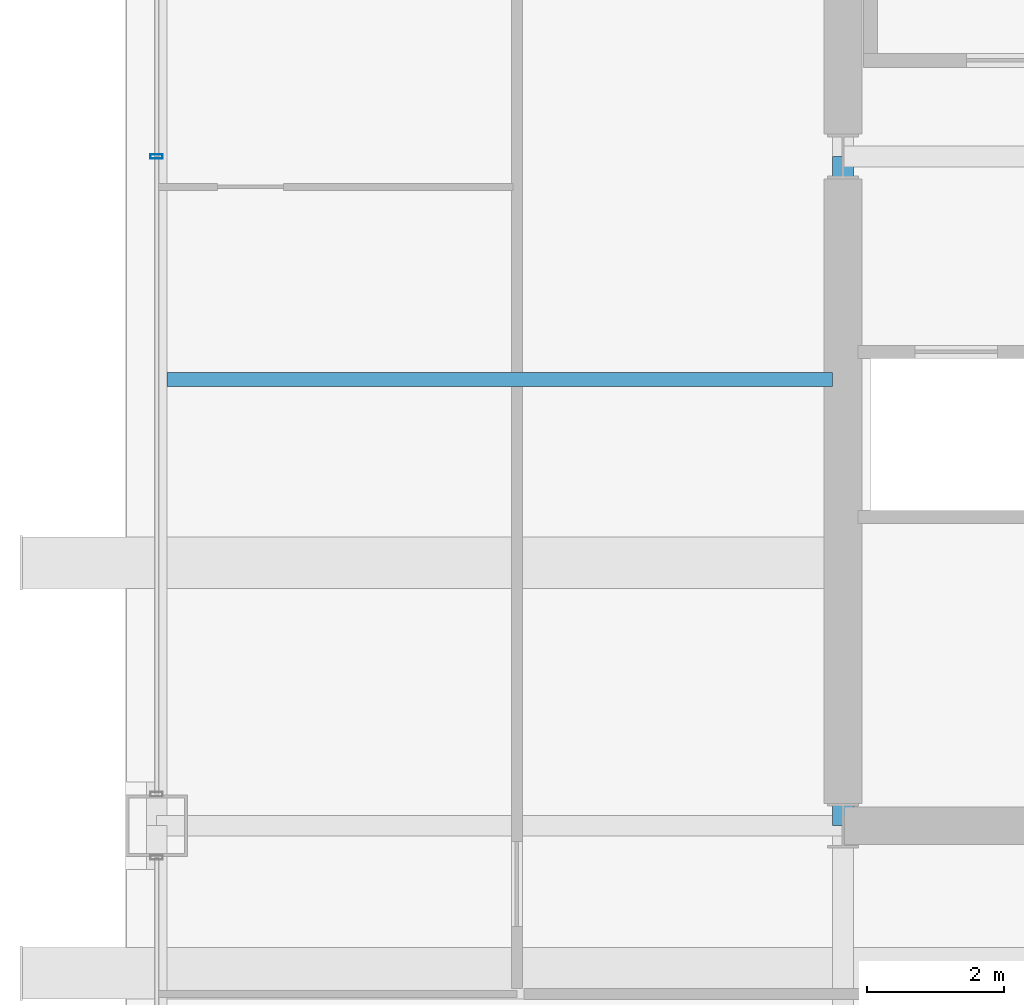
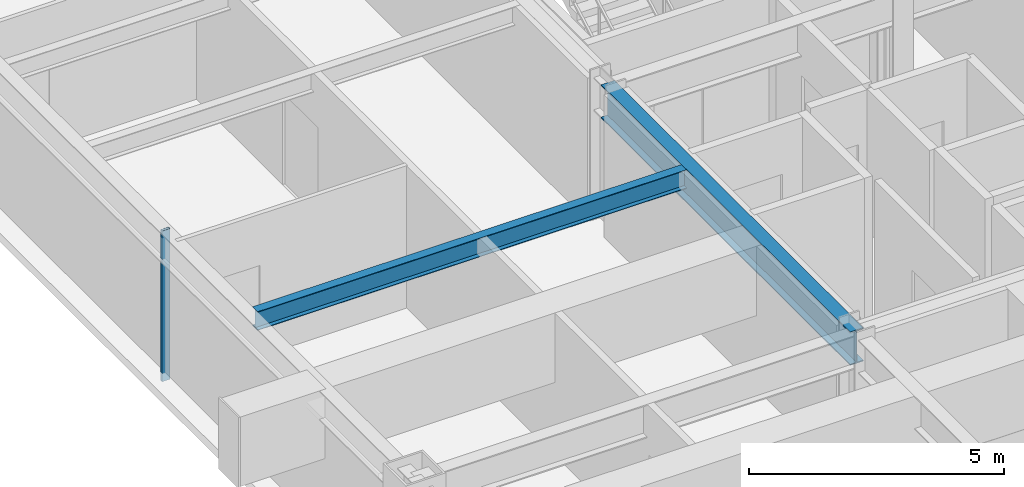
# One storey, part 8 of 29: 2 beams, 1 member, 1 element without a shape of its own.
"""IFC4 building model written with IfcOpenShell, lengths in metres."""

from ifc_helpers import new_model, si_unit, direction, frame, origin, origin_2d, place, context, subcontext, project, spatial, hollow_rectangle, i_section, extrude, material, layer, layer_set, material_profile, profile_set, type_object, element, aggregate, save


model = new_model("IFC4")

# Units and contexts
model_context = context("Model", 3, precision=1e-05, world=origin(), true_north=direction((0.0, 1.0)))
body_context = subcontext(model_context, "Body", "Model", "MODEL_VIEW")
ifc_project = project(units=[si_unit("LENGTHUNIT", "METRE"), si_unit("AREAUNIT", "SQUARE_METRE"), si_unit("VOLUMEUNIT", "CUBIC_METRE"), si_unit("PLANEANGLEUNIT", "RADIAN"), si_unit("MASSUNIT", "GRAM", prefix="KILO")], contexts=[model_context])

# Site, building, storey
site_placement = place(None, origin())
site = spatial("IfcSite", under=ifc_project, at=site_placement, CompositionType="ELEMENT")
building_placement = place(site_placement, origin())
building = spatial("IfcBuilding", under=site, at=building_placement, Name="Brelmoor Portico Tower", CompositionType="ELEMENT")
storey_placement = place(building_placement, frame((0.0, 0.0, 52.800048828125)))
storey = spatial("IfcBuildingStorey", under=building, at=storey_placement, Name="L13", CompositionType="ELEMENT", Elevation=52.800048828125)

# Beams
ifc_material_1 = material(Name="Steel Q355B", Category="steel")
ifc_material_profile_1 = material_profile(ifc_material_1, i_section(OverallWidth=0.199951171875, OverallDepth=0.449951171875, WebThickness=0.009033203125, FlangeThickness=0.013916015625, at=origin_2d()), Name="HN 450x200x9x14")
ifc_profile_set_1 = profile_set([ifc_material_profile_1], Name="Steel Q355B")
beam_type_1 = type_object("IfcBeamType", Name="BM-JS-450", PredefinedType="JOIST", material=ifc_profile_set_1)
beam_1_placement = place(storey_placement, frame((-24.39990234375, -3.25, 3.175048828125), z_axis=(1.0, 0.0, 0.0), x_axis=(0.0, 1.0, 0.0)))
element("IfcBeam", 1, at=beam_1_placement, inside=storey, type_object=beam_type_1, Name="L13 Secondary Wing Joist JS-W05", PredefinedType="JOIST", context=body_context, shape_type="SweptSolid", body=[
    extrude(i_section(OverallWidth=0.199951171875, OverallDepth=0.449951171875, WebThickness=0.009033203125, FlangeThickness=0.013916015625, at=origin_2d()), origin(), (0.0, 0.0, 1.0), 9.699951171875),
])
ifc_material_profile_2 = material_profile(ifc_material_1, i_section(OverallWidth=0.300048828125, OverallDepth=0.800048828125, WebThickness=0.013916015625, FlangeThickness=0.02587890625, at=origin_2d()), Name="HN 800x300x14x26")
ifc_profile_set_2 = profile_set([ifc_material_profile_2], Name="Steel Q355B")
beam_type_2 = type_object("IfcBeamType", Name="BM-PG-800", PredefinedType="BEAM", material=ifc_profile_set_2)
beam_2_placement = place(storey_placement, frame((-14.550048828125, -9.75, 3.0), z_axis=(0.0, 1.0, 0.0), x_axis=(-1.0, 0.0, 0.0)))
element("IfcBeam", 2, at=beam_2_placement, inside=storey, type_object=beam_type_2, Name="L13 Primary Floor Girder PG-04", PredefinedType="BEAM", context=body_context, shape_type="SweptSolid", body=[
    extrude(i_section(OverallWidth=0.300048828125, OverallDepth=0.800048828125, WebThickness=0.013916015625, FlangeThickness=0.02587890625, at=origin_2d()), origin(), (0.0, 0.0, 1.0), 9.75),
])

# Curtain wall, member
ifc_material_2 = material(Name="Anodised Aluminium Alloy 6063-T6", Category="aluminium")
ifc_layer = layer(ifc_material_2, 0.179931640625)
ifc_layer_set = layer_set([ifc_layer], Name="Anodised Aluminium Alloy 6063-T6")
curtain_wall_type = type_object("IfcCurtainWallType", Name="CW-TOWER-Z1-XB", PredefinedType="NOTDEFINED", material=ifc_layer_set)
curtain_wall_placement = place(storey_placement, origin())
curtain_wall = element("IfcCurtainWall", 3, at=curtain_wall_placement, inside=storey, type_object=curtain_wall_type, Name="L13 Curtain Wall CW-L13-03-2", PredefinedType="NOTDEFINED")
ifc_material_profile_3 = material_profile(ifc_material_2, hollow_rectangle(XDim=0.06494140625, YDim=0.179931640625, WallThickness=0.00390625, at=origin_2d()), Name="ALU MULLION 65x180")
ifc_profile_set_3 = profile_set([ifc_material_profile_3], Name="Anodised Aluminium Alloy 6063-T6")
member_type = type_object("IfcMemberType", Name="MB-CW-MULL-180", PredefinedType="MULLION", material=ifc_profile_set_3)
member_placement = place(storey_placement, frame((-24.550048828125, 0.0, -0.199951171875), z_axis=(0.0, 0.0, 1.0), x_axis=(0.0, 1.0, 0.0)))
member = element("IfcMember", 4, at=member_placement, type_object=member_type, Name="CW-L13-03-2 Mullion 01", PredefinedType="MULLION", context=body_context, shape_type="SweptSolid", body=[
    extrude(hollow_rectangle(XDim=0.06494140625, YDim=0.179931640625, WallThickness=0.00390625, at=origin_2d()), origin(), (0.0, 0.0, 1.0), 3.599853515625),
])
aggregate(curtain_wall, [member])

save(model, "model.ifc")
